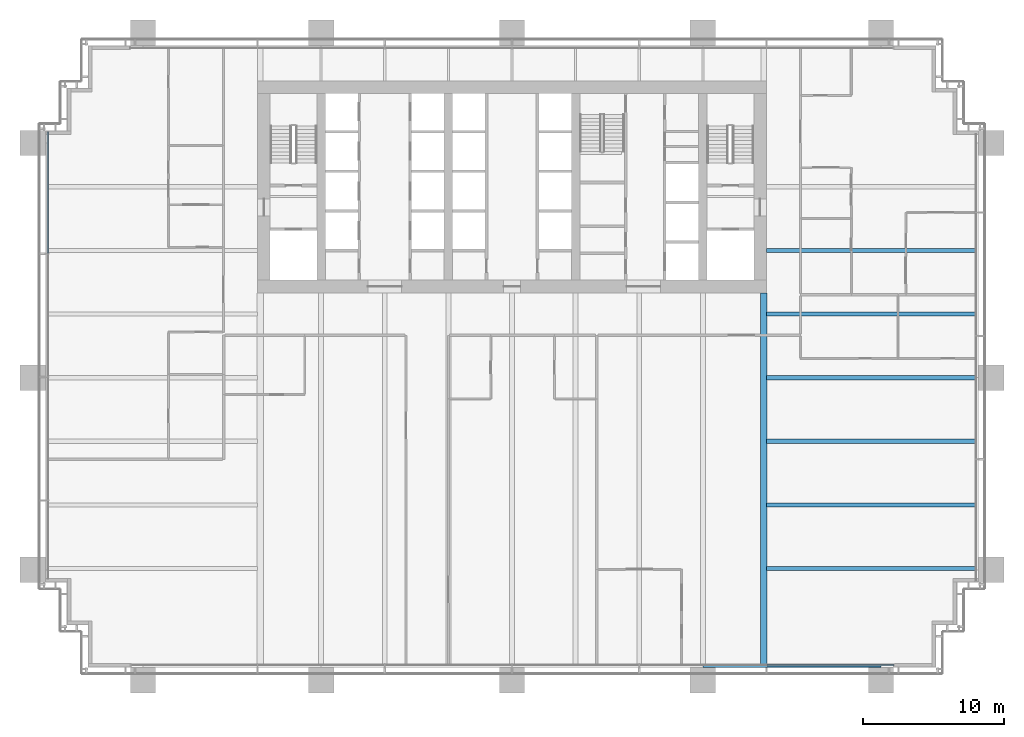
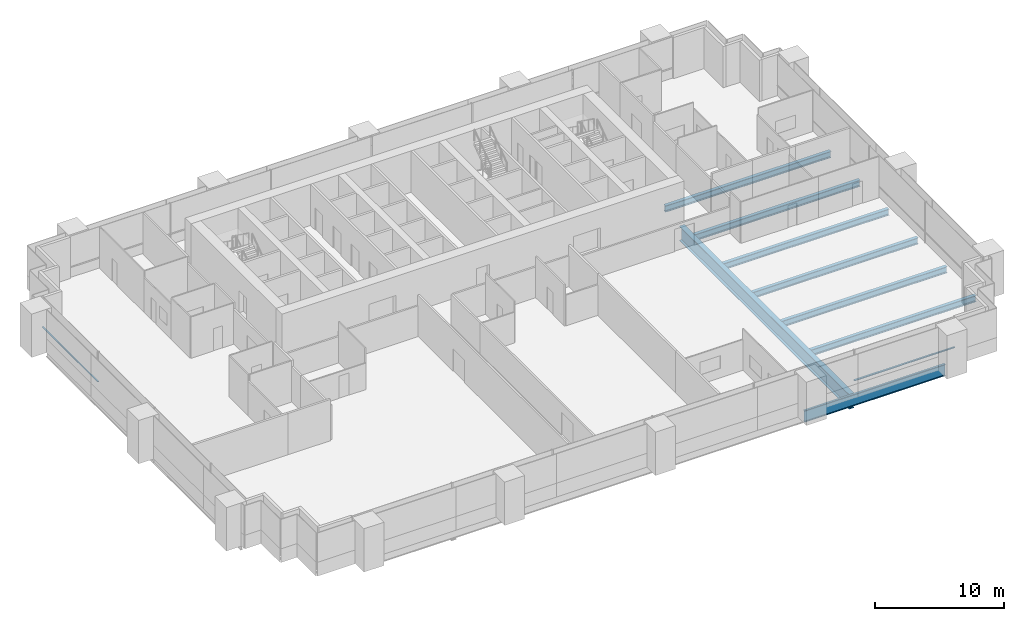
# One storey, part 6 of 19: 8 beams, 2 members, 2 elements without a shape of their own.
"""IFC4 building model written with IfcOpenShell, lengths in metres."""

import ifcopenshell
import ifcopenshell.guid

model = None  # the IFC model being written
_history = None  # IfcOwnerHistory: only IFC2X3 demands one
_inside = {}  # id of a spatial element -> (the spatial element, [elements in it])
_under = {}  # id of a project, library or spatial element -> (it, [spatial elements below it])
_declared = {}  # id of a project -> (the project, [libraries it declares])
_typed = {}  # id of a type object -> (the type object, [elements of that type])
_made_of = {}  # id of a material, layer set ... -> (it, [elements and type objects made of it])


def new_model(schema):
    """Start an empty IFC model of exactly this schema.

    Asked for "IFC4X3", IfcOpenShell would pick the latest addendum, in which some entities
    have other attributes; the version numbers below select the first issue.
    IFC2X3 requires an IfcOwnerHistory on every rooted entity: one is made here for all.
    """
    global model, _history
    if schema == "IFC4X3":
        model = ifcopenshell.file(schema_version=(4, 3, 0, 0))
    else:
        model = ifcopenshell.file(schema=schema)
    _inside.clear()
    _under.clear()
    _declared.clear()
    _typed.clear()
    _made_of.clear()
    _history = None
    if model.schema == "IFC2X3":
        org = make("IfcOrganization", Name="unknown")
        user = make(
            "IfcPersonAndOrganization",
            ThePerson=make("IfcPerson", FamilyName="unknown"),
            TheOrganization=org,
        )
        app = make(
            "IfcApplication",
            ApplicationDeveloper=org,
            Version="unknown",
            ApplicationFullName="unknown",
            ApplicationIdentifier="unknown",
        )
        _history = make(
            "IfcOwnerHistory",
            OwningUser=user,
            OwningApplication=app,
            ChangeAction="ADDED",
            CreationDate=0,
        )
    return model


def make(cls, **values):
    """One entity of the class cls with the attributes given. An attribute that is None is left unset."""
    return model.create_entity(
        cls, **{name: value for name, value in values.items() if value is not None}
    )


def rooted(cls, **values):
    """An entity with a GlobalId (a new one), such as an element, a storey or a relation."""
    return make(cls, GlobalId=ifcopenshell.guid.new(), OwnerHistory=_history, **values)


def si_unit(unit_type, name, prefix=None):
    """IfcSIUnit, for example si_unit("LENGTHUNIT", "METRE", prefix="MILLI")."""
    return make("IfcSIUnit", UnitType=unit_type, Prefix=prefix, Name=name)


def assignment(units):
    """IfcUnitAssignment: the units of a project."""
    return None if units is None else make("IfcUnitAssignment", Units=units)


def point(xyz):
    """IfcCartesianPoint."""
    return None if xyz is None else make("IfcCartesianPoint", Coordinates=xyz)


def direction(xyz):
    """IfcDirection."""
    return None if xyz is None else make("IfcDirection", DirectionRatios=xyz)


def frame(location, z_axis=None, x_axis=None):
    """IfcAxis2Placement3D, a coordinate frame: its origin and axes. An axis left out is left unset."""
    return make(
        "IfcAxis2Placement3D",
        Location=point(location),
        Axis=direction(z_axis),
        RefDirection=direction(x_axis),
    )


def frame_2d(location, x_axis=None):
    """IfcAxis2Placement2D, a coordinate frame in the plane: its origin and x axis."""
    return make(
        "IfcAxis2Placement2D", Location=point(location), RefDirection=direction(x_axis)
    )


def origin():
    """The frame at (0, 0, 0) with its axes left unset."""
    return frame((0.0, 0.0, 0.0))


def origin_2d():
    """The frame at (0, 0) in the plane with its x axis left unset."""
    return frame_2d((0.0, 0.0))


def place(relative_to, where):
    """IfcLocalPlacement: puts the frame where relative to a parent placement (None: the world)."""
    return make(
        "IfcLocalPlacement", PlacementRelTo=relative_to, RelativePlacement=where
    )


def context(
    kind, dimensions, precision=None, world=None, true_north=None, identifier=None
):
    """IfcGeometricRepresentationContext, for example the 3D "Model" context."""
    return make(
        "IfcGeometricRepresentationContext",
        ContextIdentifier=identifier,
        ContextType=kind,
        CoordinateSpaceDimension=dimensions,
        Precision=precision,
        WorldCoordinateSystem=world,
        TrueNorth=true_north,
    )


def subcontext(parent, identifier, kind, view, scale=None):
    """IfcGeometricRepresentationSubContext, for example "Body" below "Model"."""
    return make(
        "IfcGeometricRepresentationSubContext",
        ContextIdentifier=identifier,
        ContextType=kind,
        ParentContext=parent,
        TargetScale=scale,
        TargetView=view,
    )


def project(units=None, contexts=None):
    """IfcProject with its units and contexts."""
    return rooted(
        "IfcProject",
        Name="project",
        RepresentationContexts=contexts,
        UnitsInContext=assignment(units),
    )


def spatial(cls, under=None, at=None, **own):
    """A site, building, storey or space (cls), placed at a placement, below another one or the project."""
    s = rooted(cls, ObjectPlacement=at, **own)
    if under is not None:
        _under.setdefault(under.id(), (under, []))[1].append(s)
    return s


def profile(cls, at=None, kind="AREA", **sizes):
    """A parametric profile (cls). Its sizes go by their IFC names, for example OverallWidth=200.0."""
    return make(cls, ProfileType=kind, Position=at, **sizes)


def rectangle(**sizes):
    """IfcRectangleProfileDef."""
    return profile("IfcRectangleProfileDef", **sizes)


def i_section(**sizes):
    """IfcIShapeProfileDef."""
    return profile("IfcIShapeProfileDef", **sizes)


def extrude(swept, where, along, depth):
    """IfcExtrudedAreaSolid: the profile swept, set in the frame where, extruded along a direction by depth."""
    return make(
        "IfcExtrudedAreaSolid",
        SweptArea=swept,
        Position=where,
        ExtrudedDirection=direction(along),
        Depth=depth,
    )


def shape(context_of_items, identifier, shape_type, items):
    """IfcShapeRepresentation: the items that make up one representation, for example the "Body"."""
    return make(
        "IfcShapeRepresentation",
        ContextOfItems=context_of_items,
        RepresentationIdentifier=identifier,
        RepresentationType=shape_type,
        Items=items,
    )


def material(Name=None, Category=None):
    """IfcMaterial."""
    return make("IfcMaterial", Name=Name, Category=Category)


def material_profile(
    of_material, cross_section, Name=None, Category=None, Priority=None
):
    """IfcMaterialProfile: a cross section and its material."""
    return make(
        "IfcMaterialProfile",
        Name=Name,
        Material=of_material,
        Profile=cross_section,
        Priority=Priority,
        Category=Category,
    )


def profile_set(profiles, Name=None, composite=None):
    """IfcMaterialProfileSet."""
    return make(
        "IfcMaterialProfileSet",
        Name=Name,
        MaterialProfiles=profiles,
        CompositeProfile=composite,
    )


def made_of(thing, what):
    """Note that an element or type object is made of a material, layer set ...; save() writes the relation."""
    if what is not None:
        _made_of.setdefault(what.id(), (what, []))[1].append(thing)
    return thing


def type_object(cls, material=None, **own):
    """A type object (cls), such as IfcWallType, which elements share."""
    return made_of(rooted(cls, **own), material)


def element(
    cls,
    number,
    at=None,
    inside=None,
    cuts=None,
    type_object=None,
    material=None,
    context=None,
    identifier="Body",
    shape_type=None,
    held_by="IfcProductDefinitionShape",
    body=None,
    shapes=None,
    **own,
):
    """One element of the class cls, such as IfcWall. Its Tag is "e" and its number.

    at: its placement. inside: the storey or other place that contains it. cuts: it is an
    opening in that element (IfcRelVoidsElement). A single representation is given by context,
    identifier, shape_type and body (its items); several are given by shapes. held_by: the class
    of the entity that holds the representations. save() writes the other relations.
    """
    e = rooted(cls, Tag="e%d" % number, ObjectPlacement=at, **own)
    if body is not None:
        shapes = [shape(context, identifier, shape_type, body)]
    if shapes is not None:
        e.Representation = make(held_by, Representations=shapes)
    if inside is not None:
        _inside.setdefault(inside.id(), (inside, []))[1].append(e)
    if cuts is not None:
        rooted(
            "IfcRelVoidsElement", RelatingBuildingElement=cuts, RelatedOpeningElement=e
        )
    if type_object is not None:
        _typed.setdefault(type_object.id(), (type_object, []))[1].append(e)
    return made_of(e, material)


def aggregate(whole, parts):
    """IfcRelAggregates: a whole, such as a stair, and the parts it consists of."""
    return rooted("IfcRelAggregates", RelatingObject=whole, RelatedObjects=parts)


def save(model, path):
    """Write the relations noted so far, then the file.

    IfcRelAggregates (storeys below a building ...), IfcRelContainedInSpatialStructure (elements
    in a storey), IfcRelDefinesByType, IfcRelAssociatesMaterial and IfcRelDeclares: one each for
    every whole, place, type object, material and project.
    """
    for whole, parts in _under.values():
        aggregate(whole, parts)
    for where, things in _inside.values():
        rooted(
            "IfcRelContainedInSpatialStructure",
            RelatedElements=things,
            RelatingStructure=where,
        )
    for kind, things in _typed.values():
        rooted("IfcRelDefinesByType", RelatedObjects=things, RelatingType=kind)
    for what, things in _made_of.values():
        rooted("IfcRelAssociatesMaterial", RelatedObjects=things, RelatingMaterial=what)
    for by, libraries in _declared.values():
        rooted("IfcRelDeclares", RelatingContext=by, RelatedDefinitions=libraries)
    model.write(path)


model = new_model("IFC4")

# Units and contexts
model_context = context("Model", 3, precision=1e-05, world=origin(), true_north=direction((0.0, 1.0)))
body_context = subcontext(model_context, "Body", "Model", "MODEL_VIEW")
ifc_project = project(units=[si_unit("LENGTHUNIT", "METRE"), si_unit("AREAUNIT", "SQUARE_METRE"), si_unit("VOLUMEUNIT", "CUBIC_METRE"), si_unit("PLANEANGLEUNIT", "RADIAN"), si_unit("MASSUNIT", "GRAM", prefix="KILO")], contexts=[model_context])

# Site, building, storey
site_placement = place(None, origin())
site = spatial("IfcSite", under=ifc_project, at=site_placement, CompositionType="ELEMENT")
building_placement = place(site_placement, origin())
building = spatial("IfcBuilding", under=site, at=building_placement, Name="Rattan Terrace Tower", CompositionType="ELEMENT")
storey_placement = place(building_placement, frame((0.0, 0.0, 52.89990234375)))
storey = spatial("IfcBuildingStorey", under=building, at=storey_placement, Name="L11", CompositionType="ELEMENT", Elevation=52.89990234375)

# Curtain wall, member
ifc_material_1 = material(Name="Aluminium and glass", Category="aluminium")
curtain_wall_type = type_object("IfcCurtainWallType", Name="Facade Unitised Curtain Wall", PredefinedType="NOTDEFINED", material=ifc_material_1)
curtain_wall_1_placement = place(storey_placement, origin())
curtain_wall_1 = element("IfcCurtainWall", 1, at=curtain_wall_1_placement, inside=storey, type_object=curtain_wall_type, Name="Curtain wall L11-3", PredefinedType="NOTDEFINED")
ifc_material_2 = material(Name="Aluminium", Category="aluminium")
ifc_material_profile_1 = material_profile(ifc_material_2, rectangle(XDim=0.1201171875, YDim=0.06005859375, at=origin_2d()), Name="Aluminium 120x60")
ifc_profile_set_1 = profile_set([ifc_material_profile_1], Name="Aluminium")
member_type = type_object("IfcMemberType", Name="Facade CW Transom 120x60", PredefinedType="USERDEFINED", material=ifc_profile_set_1)
member_1_placement = place(storey_placement, frame((-32.830078125, 3.89501953125, 1.0), z_axis=(0.0, -1.0, 0.0), x_axis=(1.0, 0.0, 0.0)))
member_1 = element("IfcMember", 2, at=member_1_placement, type_object=member_type, Name="Transom cwl-L11-003.1", ObjectType="TRANSOM", PredefinedType="USERDEFINED", context=body_context, shape_type="SweptSolid", body=[
    extrude(rectangle(XDim=0.1201171875, YDim=0.06005859375, at=origin_2d()), origin(), (0.0, 0.0, 1.0), 8.592041015625),
])
aggregate(curtain_wall_1, [member_1])

curtain_wall_2_placement = place(storey_placement, origin())
curtain_wall_2 = element("IfcCurtainWall", 3, at=curtain_wall_2_placement, inside=storey, type_object=curtain_wall_type, Name="Curtain wall L11-4", PredefinedType="NOTDEFINED")
member_2_placement = place(storey_placement, frame((18.030029296875, -33.830078125, 1.0), z_axis=(1.0, 0.0, 0.0), x_axis=(0.0, 1.0, 0.0)))
member_2 = element("IfcMember", 4, at=member_2_placement, type_object=member_type, Name="Transom cwl-L11-004.6", ObjectType="TRANSOM", PredefinedType="USERDEFINED", context=body_context, shape_type="SweptSolid", body=[
    extrude(rectangle(XDim=0.1201171875, YDim=0.06005859375, at=origin_2d()), origin(), (0.0, 0.0, 1.0), 8.969970703125),
])
aggregate(curtain_wall_2, [member_2])

# Beams
ifc_material_3 = material(Name="Steel S460", Category="steel")
ifc_material_profile_2 = material_profile(ifc_material_3, i_section(OverallWidth=0.449951171875, OverallDepth=1.39990234375, WebThickness=0.02197265625, FlangeThickness=0.054931640625, at=origin_2d()), Name="PG 1400x450-22-55")
ifc_profile_set_2 = profile_set([ifc_material_profile_2], Name="Steel S460")
beam_type_1 = type_object("IfcBeamType", Name="Frame core girder PG 1400x450-22-55", PredefinedType="BEAM", material=ifc_profile_set_2)
beam_1_placement = place(storey_placement, frame((17.800048828125, -33.820068359375, -0.89990234375), z_axis=(0.0, 1.0, 0.0), x_axis=(-1.0, 0.0, 0.0)))
element("IfcBeam", 5, at=beam_1_placement, inside=storey, type_object=beam_type_1, Name="gdr-L11-014", PredefinedType="BEAM", context=body_context, shape_type="SweptSolid", body=[
    extrude(i_section(OverallWidth=0.449951171875, OverallDepth=1.39990234375, WebThickness=0.02197265625, FlangeThickness=0.054931640625, at=origin_2d()), origin(), (0.0, 0.0, 1.0), 26.320068359375),
])
ifc_material_4 = material(Name="Steel S460", Category="steel")
ifc_material_profile_3 = material_profile(ifc_material_4, i_section(OverallWidth=0.179931640625, OverallDepth=1.10009765625, WebThickness=0.01611328125, FlangeThickness=0.050048828125, at=origin_2d()), Name="PG 1100x180-16-50")
ifc_profile_set_3 = profile_set([ifc_material_profile_3], Name="Steel S460")
beam_type_2 = type_object("IfcBeamType", Name="Frame edge girder PG 1100x180-16-50", PredefinedType="SPANDREL", material=ifc_profile_set_3)
beam_2_placement = place(storey_placement, frame((13.5, -33.909912109375, -0.75), z_axis=(1.0, 0.0, 0.0), x_axis=(0.0, 1.0, 0.0)))
element("IfcBeam", 6, at=beam_2_placement, inside=storey, type_object=beam_type_2, Name="gdr-L11-004", PredefinedType="SPANDREL", context=body_context, shape_type="SweptSolid", body=[
    extrude(i_section(OverallWidth=0.179931640625, OverallDepth=1.10009765625, WebThickness=0.01611328125, FlangeThickness=0.050048828125, at=origin_2d()), origin(), (0.0, 0.0, 1.0), 12.60009765625),
])
ifc_material_5 = material(Name="Steel S355", Category="steel")
ifc_material_profile_4 = material_profile(ifc_material_5, i_section(OverallWidth=0.300048828125, OverallDepth=0.60009765625, WebThickness=0.015380859375, FlangeThickness=0.030029296875, FilletRadius=0.027099609375, at=origin_2d()), Name="HE 600 B")
ifc_profile_set_4 = profile_set([ifc_material_profile_4], Name="Steel S355")
beam_type_3 = type_object("IfcBeamType", Name="Frame floor beam HE 600 B", PredefinedType="JOIST", material=ifc_profile_set_4)
for number, where, z_axis, x_axis, name in (
    (7, (18.0, -27.0, -0.5), (1.0, 0.0, 0.0), (0.0, 1.0, 0.0), "bm-L11-011"),
    (8, (18.0, -22.5, -0.5), (1.0, 0.0, 0.0), (0.0, 1.0, 0.0), "bm-L11-013"),
    (9, (18.0, -18.0, -0.5), (1.0, 0.0, 0.0), (0.0, 1.0, 0.0), "bm-L11-015"),
    (10, (18.0, -13.5, -0.5), (1.0, 0.0, 0.0), (0.0, 1.0, 0.0), "bm-L11-017"),
    (11, (18.0, -9.0, -0.5), (1.0, 0.0, 0.0), (0.0, 1.0, 0.0), "bm-L11-019"),
    (12, (18.0, -4.5, -0.5), (1.0, 0.0, 0.0), (0.0, 1.0, 0.0), "bm-L11-021"),
):
    element("IfcBeam", number, at=place(storey_placement, frame(where, z_axis=z_axis, x_axis=x_axis)), inside=storey, type_object=beam_type_3, Name=name, PredefinedType="JOIST", context=body_context, shape_type="SweptSolid", body=[
        extrude(i_section(OverallWidth=0.300048828125, OverallDepth=0.60009765625, WebThickness=0.015380859375, FlangeThickness=0.030029296875, FilletRadius=0.027099609375, at=origin_2d()), origin(), (0.0, 0.0, 1.0), 14.820068359375),
    ])

save(model, "model.ifc")
